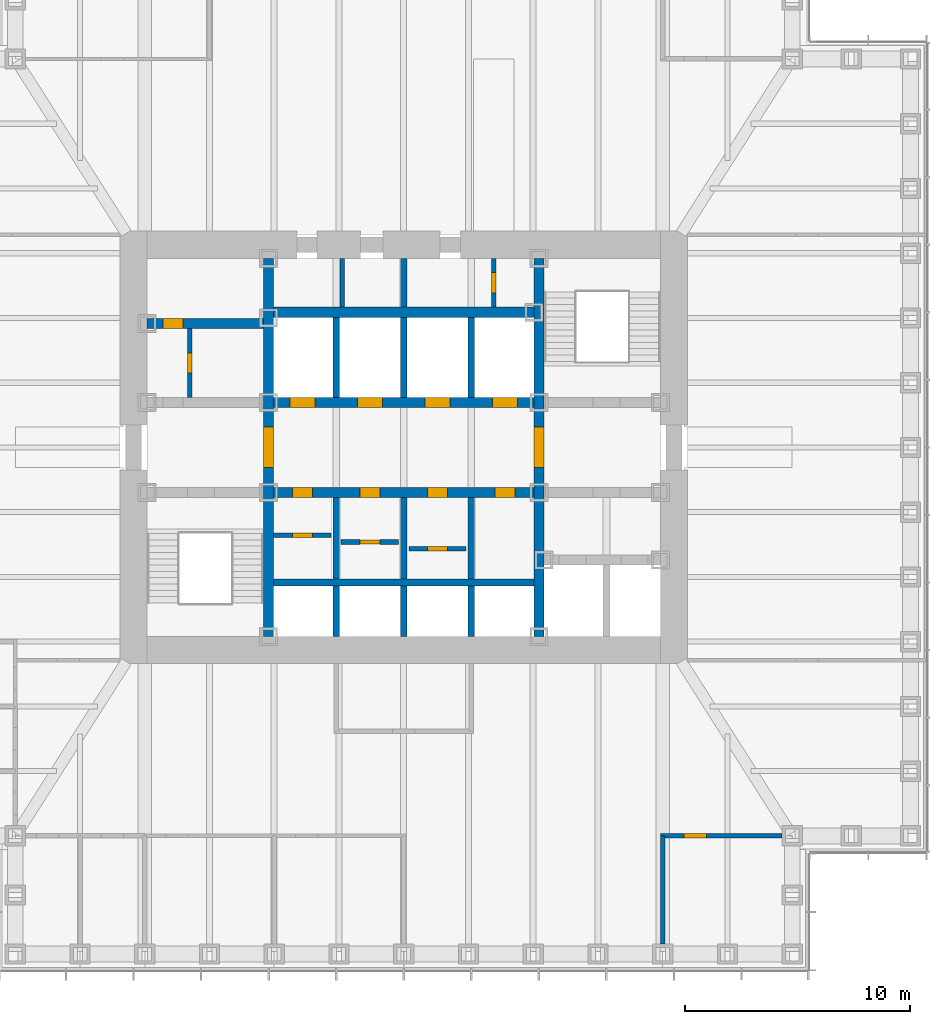
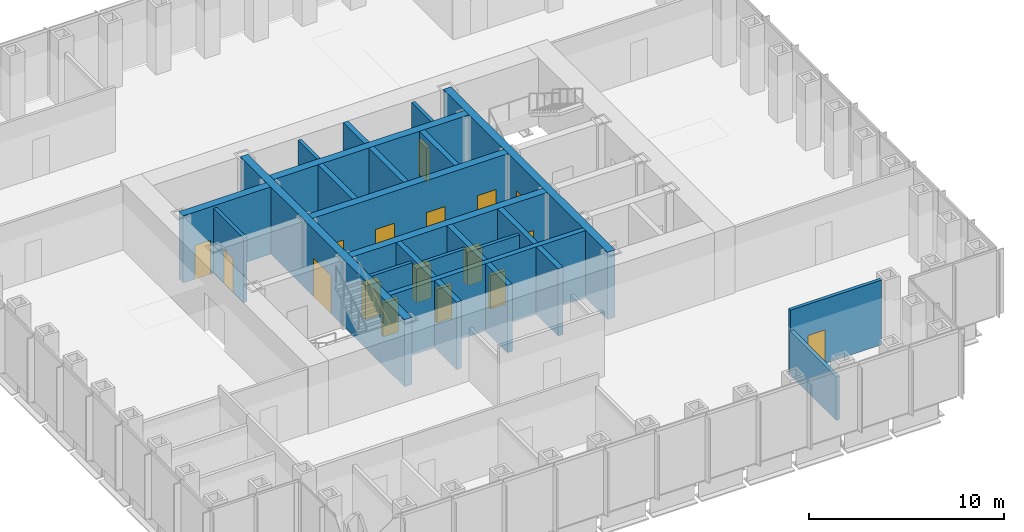
# One storey, part 9 of 16: 25 walls, 17 doors, 17 openings.
"""IFC4 building model written with IfcOpenShell, lengths in metres."""

from ifc_helpers import new_model, si_unit, direction, frame, frame_2d, origin, place, context, subcontext, project, spatial, rectangle, extrude, material, layer, layer_set, type_object, element, fill, save


model = new_model("IFC4")

# Units and contexts
model_context = context("Model", 3, precision=1e-05, world=origin(), true_north=direction((0.0, 1.0)))
body_context = subcontext(model_context, "Body", "Model", "MODEL_VIEW")
ifc_project = project(units=[si_unit("LENGTHUNIT", "METRE"), si_unit("AREAUNIT", "SQUARE_METRE"), si_unit("VOLUMEUNIT", "CUBIC_METRE"), si_unit("PLANEANGLEUNIT", "RADIAN"), si_unit("MASSUNIT", "GRAM", prefix="KILO")], contexts=[model_context])

# Site, building, storey
site_placement = place(None, origin())
site = spatial("IfcSite", under=ifc_project, at=site_placement, CompositionType="ELEMENT")
building_placement = place(site_placement, origin())
building = spatial("IfcBuilding", under=site, at=building_placement, Name="Daluyong Arena Tower", CompositionType="ELEMENT")
storey_placement = place(building_placement, frame((0.0, 0.0, 120.699951171875)))
storey = spatial("IfcBuildingStorey", under=building, at=storey_placement, Name="L26", CompositionType="ELEMENT", Elevation=120.699951171875)

# Wall, opening, door
ifc_material_1 = material(Name="Concrete fc' 45 MPa", Category="concrete")
ifc_layer_1 = layer(ifc_material_1, 0.449951171875)
ifc_layer_set_1 = layer_set([ifc_layer_1], Name="Concrete fc' 45 MPa")
wall_type_1 = type_object("IfcWallType", Name="Core inner wall 450", PredefinedType="SHEAR", material=ifc_layer_set_1)
wall_1_placement = place(storey_placement, frame((50.0, 71.60009765625, 0.0), z_axis=(0.0, 0.0, 1.0), x_axis=(0.0, 1.0, 0.0)))
wall_1 = element("IfcWall", 1, at=wall_1_placement, inside=storey, type_object=wall_type_1, Name="core inner wall at L26", PredefinedType="SHEAR", context=body_context, shape_type="SweptSolid", body=[
    extrude(rectangle(XDim=16.7998046875, YDim=0.449951171875, at=frame_2d((8.39990234375, 0.0))), origin(), (0.0, 0.0, 1.0), 4.199951171875),
])
opening_1_placement = place(wall_1_placement, frame((7.5, 0.0, 0.0)))
opening_1 = element("IfcOpeningElement", 2, at=opening_1_placement, cuts=wall_1, Name="Opening 26019", PredefinedType="OPENING", context=body_context, shape_type="SweptSolid", body=[
    extrude(rectangle(XDim=1.800048828125, YDim=2.39990234375, at=frame_2d((0.89990234375, 1.199951171875))), frame((0.0, 0.23486328125, 0.0), z_axis=(0.0, -1.0, 0.0), x_axis=(1.0, 0.0, 0.0)), (0.0, 0.0, 1.0), 0.469970703125),
])
ifc_material_2 = material(Name="Steel door, fire rated", Category="steel")
door_type_1 = type_object("IfcDoorType", Name="Lift lobby opening door 1800", OperationType="DOUBLE_DOOR_SINGLE_SWING", PredefinedType="DOOR", material=ifc_material_2)
door_1_placement = place(opening_1_placement, origin())
door_1 = element("IfcDoor", 3, at=door_1_placement, inside=storey, type_object=door_type_1, Name="lift lobby door west 26019", OperationType="DOUBLE_DOOR_SINGLE_SWING", OverallHeight=2.39990234375, OverallWidth=1.800048828125, PredefinedType="DOOR", context=body_context, shape_type="SweptSolid", body=[
    extrude(rectangle(XDim=1.800048828125, YDim=2.39990234375, at=frame_2d((0.89990234375, 1.199951171875))), frame((0.0, 0.224609375, 0.0), z_axis=(0.0, -1.0, 0.0), x_axis=(1.0, 0.0, 0.0)), (0.0, 0.0, 1.0), 0.449462890625),
])
fill(opening_1, door_1)

wall_2_placement = place(storey_placement, frame((62.0, 71.60009765625, 0.0), z_axis=(0.0, 0.0, 1.0), x_axis=(0.0, 1.0, 0.0)))
wall_2 = element("IfcWall", 4, at=wall_2_placement, inside=storey, type_object=wall_type_1, Name="core inner wall at L26", PredefinedType="SHEAR", context=body_context, shape_type="SweptSolid", body=[
    extrude(rectangle(XDim=16.7998046875, YDim=0.449951171875, at=frame_2d((8.39990234375, 0.0))), origin(), (0.0, 0.0, 1.0), 4.199951171875),
])
opening_2_placement = place(wall_2_placement, frame((7.5, 0.0, 0.0)))
opening_2 = element("IfcOpeningElement", 5, at=opening_2_placement, cuts=wall_2, Name="Opening 26020", PredefinedType="OPENING", context=body_context, shape_type="SweptSolid", body=[
    extrude(rectangle(XDim=1.800048828125, YDim=2.39990234375, at=frame_2d((0.89990234375, 1.199951171875))), frame((0.0, 0.23486328125, 0.0), z_axis=(0.0, -1.0, 0.0), x_axis=(1.0, 0.0, 0.0)), (0.0, 0.0, 1.0), 0.469970703125),
])
door_2_placement = place(opening_2_placement, origin())
door_2 = element("IfcDoor", 6, at=door_2_placement, inside=storey, type_object=door_type_1, Name="lift lobby door east 26020", OperationType="DOUBLE_DOOR_SINGLE_SWING", OverallHeight=2.39990234375, OverallWidth=1.800048828125, PredefinedType="DOOR", context=body_context, shape_type="SweptSolid", body=[
    extrude(rectangle(XDim=1.800048828125, YDim=2.39990234375, at=frame_2d((0.89990234375, 1.199951171875))), frame((0.0, 0.224609375, 0.0), z_axis=(0.0, -1.0, 0.0), x_axis=(1.0, 0.0, 0.0)), (0.0, 0.0, 1.0), 0.449462890625),
])
fill(opening_2, door_2)

wall_3_placement = place(storey_placement, frame((44.60009765625, 85.5, 0.0), z_axis=(0.0, 0.0, 1.0), x_axis=(1.0, 0.0, 0.0)))
wall_3 = element("IfcWall", 7, at=wall_3_placement, inside=storey, type_object=wall_type_1, Name="core inner wall at L26", PredefinedType="SHEAR", context=body_context, shape_type="SweptSolid", body=[
    extrude(rectangle(XDim=5.1748046875, YDim=0.449951171875, at=frame_2d((2.58740234375, 0.0))), origin(), (0.0, 0.0, 1.0), 4.199951171875),
])
opening_3_placement = place(wall_3_placement, frame((0.699951171875, 0.0, 0.0)))
opening_3 = element("IfcOpeningElement", 8, at=opening_3_placement, cuts=wall_3, Name="Opening 26003", PredefinedType="OPENING", context=body_context, shape_type="SweptSolid", body=[
    extrude(rectangle(XDim=0.89990234375, YDim=2.10009765625, at=frame_2d((0.449951171875, 1.050048828125))), frame((0.0, 0.23486328125, 0.0), z_axis=(0.0, -1.0, 0.0), x_axis=(1.0, 0.0, 0.0)), (0.0, 0.0, 1.0), 0.469970703125),
])
ifc_material_3 = material(Name="Timber door", Category="wood")
door_type_2 = type_object("IfcDoorType", Name="Toilet door 900", OperationType="SINGLE_SWING_RIGHT", PredefinedType="DOOR", material=ifc_material_3)
door_3_placement = place(opening_3_placement, origin())
door_3 = element("IfcDoor", 9, at=door_3_placement, inside=storey, type_object=door_type_2, Name="female toilet door 26003", OperationType="SINGLE_SWING_RIGHT", OverallHeight=2.10009765625, OverallWidth=0.89990234375, PredefinedType="DOOR", context=body_context, shape_type="SweptSolid", body=[
    extrude(rectangle(XDim=0.89990234375, YDim=2.10009765625, at=frame_2d((0.449951171875, 1.050048828125))), frame((0.0, 0.224609375, 0.0), z_axis=(0.0, -1.0, 0.0), x_axis=(1.0, 0.0, 0.0)), (0.0, 0.0, 1.0), 0.449462890625),
])
fill(opening_3, door_3)

# Wall, openings, doors
wall_4_placement = place(storey_placement, frame((50.22509765625, 78.0, 0.0), z_axis=(0.0, 0.0, 1.0), x_axis=(1.0, 0.0, 0.0)))
wall_4 = element("IfcWall", 10, at=wall_4_placement, inside=storey, type_object=wall_type_1, Name="core inner wall at L26", PredefinedType="SHEAR", context=body_context, shape_type="SweptSolid", body=[
    extrude(rectangle(XDim=11.5498046875, YDim=0.449951171875, at=frame_2d((5.77490234375, 0.0))), origin(), (0.0, 0.0, 1.0), 4.199951171875),
])
opening_4_placement = place(wall_4_placement, frame((0.824951171875, 0.0, 0.0)))
opening_4 = element("IfcOpeningElement", 11, at=opening_4_placement, cuts=wall_4, Name="Opening 26008", PredefinedType="OPENING", context=body_context, shape_type="SweptSolid", body=[
    extrude(rectangle(XDim=0.89990234375, YDim=2.10009765625, at=frame_2d((0.449951171875, 1.050048828125))), frame((0.0, 0.23486328125, 0.0), z_axis=(0.0, -1.0, 0.0), x_axis=(1.0, 0.0, 0.0)), (0.0, 0.0, 1.0), 0.469970703125),
])
opening_5_placement = place(wall_4_placement, frame((3.824951171875, 0.0, 0.0)))
opening_5 = element("IfcOpeningElement", 12, at=opening_5_placement, cuts=wall_4, Name="Opening 26010", PredefinedType="OPENING", context=body_context, shape_type="SweptSolid", body=[
    extrude(rectangle(XDim=0.89990234375, YDim=2.10009765625, at=frame_2d((0.449951171875, 1.050048828125))), frame((0.0, 0.23486328125, 0.0), z_axis=(0.0, -1.0, 0.0), x_axis=(1.0, 0.0, 0.0)), (0.0, 0.0, 1.0), 0.469970703125),
])
opening_6_placement = place(wall_4_placement, frame((6.824951171875, 0.0, 0.0)))
opening_6 = element("IfcOpeningElement", 13, at=opening_6_placement, cuts=wall_4, Name="Opening 26012", PredefinedType="OPENING", context=body_context, shape_type="SweptSolid", body=[
    extrude(rectangle(XDim=0.89990234375, YDim=2.10009765625, at=frame_2d((0.449951171875, 1.050048828125))), frame((0.0, 0.23486328125, 0.0), z_axis=(0.0, -1.0, 0.0), x_axis=(1.0, 0.0, 0.0)), (0.0, 0.0, 1.0), 0.469970703125),
])
opening_7_placement = place(wall_4_placement, frame((9.824951171875, 0.0, 0.0)))
opening_7 = element("IfcOpeningElement", 14, at=opening_7_placement, cuts=wall_4, Name="Opening 26014", PredefinedType="OPENING", context=body_context, shape_type="SweptSolid", body=[
    extrude(rectangle(XDim=0.89990234375, YDim=2.10009765625, at=frame_2d((0.449951171875, 1.050048828125))), frame((0.0, 0.23486328125, 0.0), z_axis=(0.0, -1.0, 0.0), x_axis=(1.0, 0.0, 0.0)), (0.0, 0.0, 1.0), 0.469970703125),
])
ifc_material_4 = material(Name="Steel door, fire rated", Category="steel")
door_type_3 = type_object("IfcDoorType", Name="Core room door 900", OperationType="SINGLE_SWING_LEFT", PredefinedType="DOOR", material=ifc_material_4)
door_4_placement = place(opening_7_placement, origin())
door_4 = element("IfcDoor", 15, at=door_4_placement, inside=storey, type_object=door_type_3, Name="print room door 26014", OperationType="SINGLE_SWING_LEFT", OverallHeight=2.10009765625, OverallWidth=0.89990234375, PredefinedType="DOOR", context=body_context, shape_type="SweptSolid", body=[
    extrude(rectangle(XDim=0.89990234375, YDim=2.10009765625, at=frame_2d((0.449951171875, 1.050048828125))), frame((0.0, 0.224609375, 0.0), z_axis=(0.0, -1.0, 0.0), x_axis=(1.0, 0.0, 0.0)), (0.0, 0.0, 1.0), 0.449462890625),
])
fill(opening_7, door_4)
ifc_material_5 = material(Name="Steel door, fire rated", Category="steel")
door_type_4 = type_object("IfcDoorType", Name="Core store door 900", OperationType="SINGLE_SWING_LEFT", PredefinedType="DOOR", material=ifc_material_5)
door_5_placement = place(opening_4_placement, origin())
door_5 = element("IfcDoor", 16, at=door_5_placement, inside=storey, type_object=door_type_4, Name="tenant store door 26008", OperationType="SINGLE_SWING_LEFT", OverallHeight=2.10009765625, OverallWidth=0.89990234375, PredefinedType="DOOR", context=body_context, shape_type="SweptSolid", body=[
    extrude(rectangle(XDim=0.89990234375, YDim=2.10009765625, at=frame_2d((0.449951171875, 1.050048828125))), frame((0.0, 0.224609375, 0.0), z_axis=(0.0, -1.0, 0.0), x_axis=(1.0, 0.0, 0.0)), (0.0, 0.0, 1.0), 0.449462890625),
])
fill(opening_4, door_5)
door_6_placement = place(opening_5_placement, origin())
door_6 = element("IfcDoor", 17, at=door_6_placement, inside=storey, type_object=door_type_4, Name="stationery store door 26010", OperationType="SINGLE_SWING_LEFT", OverallHeight=2.10009765625, OverallWidth=0.89990234375, PredefinedType="DOOR", context=body_context, shape_type="SweptSolid", body=[
    extrude(rectangle(XDim=0.89990234375, YDim=2.10009765625, at=frame_2d((0.449951171875, 1.050048828125))), frame((0.0, 0.224609375, 0.0), z_axis=(0.0, -1.0, 0.0), x_axis=(1.0, 0.0, 0.0)), (0.0, 0.0, 1.0), 0.449462890625),
])
fill(opening_5, door_6)
door_7_placement = place(opening_6_placement, origin())
door_7 = element("IfcDoor", 18, at=door_7_placement, inside=storey, type_object=door_type_4, Name="facilities store door 26012", OperationType="SINGLE_SWING_LEFT", OverallHeight=2.10009765625, OverallWidth=0.89990234375, PredefinedType="DOOR", context=body_context, shape_type="SweptSolid", body=[
    extrude(rectangle(XDim=0.89990234375, YDim=2.10009765625, at=frame_2d((0.449951171875, 1.050048828125))), frame((0.0, 0.224609375, 0.0), z_axis=(0.0, -1.0, 0.0), x_axis=(1.0, 0.0, 0.0)), (0.0, 0.0, 1.0), 0.449462890625),
])
fill(opening_6, door_7)

wall_5_placement = place(storey_placement, frame((50.22509765625, 82.0, 0.0), z_axis=(0.0, 0.0, 1.0), x_axis=(1.0, 0.0, 0.0)))
wall_5 = element("IfcWall", 19, at=wall_5_placement, inside=storey, type_object=wall_type_1, Name="core inner wall at L26", PredefinedType="SHEAR", context=body_context, shape_type="SweptSolid", body=[
    extrude(rectangle(XDim=11.5498046875, YDim=0.449951171875, at=frame_2d((5.77490234375, 0.0))), origin(), (0.0, 0.0, 1.0), 4.199951171875),
])
opening_8_placement = place(wall_5_placement, frame((0.72509765625, 0.0, 0.0)))
opening_8 = element("IfcOpeningElement", 20, at=opening_8_placement, cuts=wall_5, Name="Opening 26022", PredefinedType="OPENING", context=body_context, shape_type="SweptSolid", body=[
    extrude(rectangle(XDim=1.10009765625, YDim=2.199951171875, at=frame_2d((0.550048828125, 1.10009765625))), frame((0.0, 0.23486328125, 0.0), z_axis=(0.0, -1.0, 0.0), x_axis=(1.0, 0.0, 0.0)), (0.0, 0.0, 1.0), 0.469970703125),
])
opening_9_placement = place(wall_5_placement, frame((3.72509765625, 0.0, 0.0)))
opening_9 = element("IfcOpeningElement", 21, at=opening_9_placement, cuts=wall_5, Name="Opening 26023", PredefinedType="OPENING", context=body_context, shape_type="SweptSolid", body=[
    extrude(rectangle(XDim=1.10009765625, YDim=2.199951171875, at=frame_2d((0.550048828125, 1.10009765625))), frame((0.0, 0.23486328125, 0.0), z_axis=(0.0, -1.0, 0.0), x_axis=(1.0, 0.0, 0.0)), (0.0, 0.0, 1.0), 0.469970703125),
])
opening_10_placement = place(wall_5_placement, frame((6.72509765625, 0.0, 0.0)))
opening_10 = element("IfcOpeningElement", 22, at=opening_10_placement, cuts=wall_5, Name="Opening 26024", PredefinedType="OPENING", context=body_context, shape_type="SweptSolid", body=[
    extrude(rectangle(XDim=1.10009765625, YDim=2.199951171875, at=frame_2d((0.550048828125, 1.10009765625))), frame((0.0, 0.23486328125, 0.0), z_axis=(0.0, -1.0, 0.0), x_axis=(1.0, 0.0, 0.0)), (0.0, 0.0, 1.0), 0.469970703125),
])
opening_11_placement = place(wall_5_placement, frame((9.72509765625, 0.0, 0.0)))
opening_11 = element("IfcOpeningElement", 23, at=opening_11_placement, cuts=wall_5, Name="Opening 26025", PredefinedType="OPENING", context=body_context, shape_type="SweptSolid", body=[
    extrude(rectangle(XDim=1.10009765625, YDim=2.199951171875, at=frame_2d((0.550048828125, 1.10009765625))), frame((0.0, 0.23486328125, 0.0), z_axis=(0.0, -1.0, 0.0), x_axis=(1.0, 0.0, 0.0)), (0.0, 0.0, 1.0), 0.469970703125),
])
ifc_material_6 = material(Name="Steel door, fire rated", Category="steel")
door_type_5 = type_object("IfcDoorType", Name="Lift landing door 1100", OperationType="SLIDING_TO_LEFT", PredefinedType="DOOR", material=ifc_material_6)
door_8_placement = place(opening_8_placement, origin())
door_8 = element("IfcDoor", 24, at=door_8_placement, inside=storey, type_object=door_type_5, Name="lift landing door B1 26022", OperationType="SLIDING_TO_LEFT", OverallHeight=2.199951171875, OverallWidth=1.10009765625, PredefinedType="DOOR", context=body_context, shape_type="SweptSolid", body=[
    extrude(rectangle(XDim=1.10009765625, YDim=2.199951171875, at=frame_2d((0.550048828125, 1.10009765625))), frame((0.0, 0.224609375, 0.0), z_axis=(0.0, -1.0, 0.0), x_axis=(1.0, 0.0, 0.0)), (0.0, 0.0, 1.0), 0.449462890625),
])
fill(opening_8, door_8)
door_9_placement = place(opening_9_placement, origin())
door_9 = element("IfcDoor", 25, at=door_9_placement, inside=storey, type_object=door_type_5, Name="lift landing door B2 26023", OperationType="SLIDING_TO_LEFT", OverallHeight=2.199951171875, OverallWidth=1.10009765625, PredefinedType="DOOR", context=body_context, shape_type="SweptSolid", body=[
    extrude(rectangle(XDim=1.10009765625, YDim=2.199951171875, at=frame_2d((0.550048828125, 1.10009765625))), frame((0.0, 0.224609375, 0.0), z_axis=(0.0, -1.0, 0.0), x_axis=(1.0, 0.0, 0.0)), (0.0, 0.0, 1.0), 0.449462890625),
])
fill(opening_9, door_9)
door_10_placement = place(opening_10_placement, origin())
door_10 = element("IfcDoor", 26, at=door_10_placement, inside=storey, type_object=door_type_5, Name="lift landing door B3 26024", OperationType="SLIDING_TO_LEFT", OverallHeight=2.199951171875, OverallWidth=1.10009765625, PredefinedType="DOOR", context=body_context, shape_type="SweptSolid", body=[
    extrude(rectangle(XDim=1.10009765625, YDim=2.199951171875, at=frame_2d((0.550048828125, 1.10009765625))), frame((0.0, 0.224609375, 0.0), z_axis=(0.0, -1.0, 0.0), x_axis=(1.0, 0.0, 0.0)), (0.0, 0.0, 1.0), 0.449462890625),
])
fill(opening_10, door_10)
door_11_placement = place(opening_11_placement, origin())
door_11 = element("IfcDoor", 27, at=door_11_placement, inside=storey, type_object=door_type_5, Name="lift landing door B4 26025", OperationType="SLIDING_TO_LEFT", OverallHeight=2.199951171875, OverallWidth=1.10009765625, PredefinedType="DOOR", context=body_context, shape_type="SweptSolid", body=[
    extrude(rectangle(XDim=1.10009765625, YDim=2.199951171875, at=frame_2d((0.550048828125, 1.10009765625))), frame((0.0, 0.224609375, 0.0), z_axis=(0.0, -1.0, 0.0), x_axis=(1.0, 0.0, 0.0)), (0.0, 0.0, 1.0), 0.449462890625),
])
fill(opening_11, door_11)

# Wall
wall_6_placement = place(storey_placement, frame((50.22509765625, 86.0, 0.0), z_axis=(0.0, 0.0, 1.0), x_axis=(1.0, 0.0, 0.0)))
element("IfcWall", 28, at=wall_6_placement, inside=storey, type_object=wall_type_1, Name="core inner wall at L26", PredefinedType="SHEAR", context=body_context, shape_type="SweptSolid", body=[
    extrude(rectangle(XDim=11.5498046875, YDim=0.449951171875, at=frame_2d((5.77490234375, 0.0))), origin(), (0.0, 0.0, 1.0), 4.199951171875),
])

# Wall, opening, door
ifc_material_7 = material(Name="Concrete block partition, fire rated", Category="concrete")
ifc_layer_2 = layer(ifc_material_7, 0.199951171875)
ifc_layer_set_2 = layer_set([ifc_layer_2], Name="Concrete block partition, fire rated")
wall_type_2 = type_object("IfcWallType", Name="Fire-rated partition 200", PredefinedType="PARTITIONING", material=ifc_layer_set_2)
wall_7_placement = place(storey_placement, frame((46.5, 82.22509765625, 0.0), z_axis=(0.0, 0.0, 1.0), x_axis=(0.0, 1.0, 0.0)))
wall_7 = element("IfcWall", 29, at=wall_7_placement, inside=storey, type_object=wall_type_2, Name="toilet lobby partition at L26", PredefinedType="PARTITIONING", context=body_context, shape_type="SweptSolid", body=[
    extrude(rectangle(XDim=3.0498046875, YDim=0.199951171875, at=frame_2d((1.52490234375, 0.0))), origin(), (0.0, 0.0, 1.0), 4.0400390625),
])
opening_12_placement = place(wall_7_placement, frame((1.074951171875, 0.0, 0.0)))
opening_12 = element("IfcOpeningElement", 30, at=opening_12_placement, cuts=wall_7, Name="Opening 26002", PredefinedType="OPENING", context=body_context, shape_type="SweptSolid", body=[
    extrude(rectangle(XDim=0.89990234375, YDim=2.10009765625, at=frame_2d((0.449951171875, 1.050048828125))), frame((0.0, 0.10986328125, 0.0), z_axis=(0.0, -1.0, 0.0), x_axis=(1.0, 0.0, 0.0)), (0.0, 0.0, 1.0), 0.219970703125),
])
door_12_placement = place(opening_12_placement, origin())
door_12 = element("IfcDoor", 31, at=door_12_placement, inside=storey, type_object=door_type_2, Name="male toilet door 26002", OperationType="SINGLE_SWING_RIGHT", OverallHeight=2.10009765625, OverallWidth=0.89990234375, PredefinedType="DOOR", context=body_context, shape_type="SweptSolid", body=[
    extrude(rectangle(XDim=0.89990234375, YDim=2.10009765625, at=frame_2d((0.449951171875, 1.050048828125))), frame((0.0, 0.099609375, 0.0), z_axis=(0.0, -1.0, 0.0), x_axis=(1.0, 0.0, 0.0)), (0.0, 0.0, 1.0), 0.199462890625),
])
fill(opening_12, door_12)

# Wall
wall_8_placement = place(storey_placement, frame((53.27490234375, 86.22509765625, 0.0), z_axis=(0.0, 0.0, 1.0), x_axis=(0.0, 1.0, 0.0)))
element("IfcWall", 32, at=wall_8_placement, inside=storey, type_object=wall_type_2, Name="core room partition at L26", PredefinedType="PARTITIONING", context=body_context, shape_type="SweptSolid", body=[
    extrude(rectangle(XDim=2.1748046875, YDim=0.199951171875, at=frame_2d((1.08740234375, 0.0))), origin(), (0.0, 0.0, 1.0), 4.0400390625),
])

# Wall, opening, door
wall_9_placement = place(storey_placement, frame((60.0, 86.22509765625, 0.0), z_axis=(0.0, 0.0, 1.0), x_axis=(0.0, 1.0, 0.0)))
wall_9 = element("IfcWall", 33, at=wall_9_placement, inside=storey, type_object=wall_type_2, Name="electrical riser enclosure at L26", PredefinedType="PARTITIONING", context=body_context, shape_type="SweptSolid", body=[
    extrude(rectangle(XDim=2.1748046875, YDim=0.199951171875, at=frame_2d((1.08740234375, 0.0))), origin(), (0.0, 0.0, 1.0), 4.0400390625),
])
opening_13_placement = place(wall_9_placement, frame((0.637451171875, 0.0, 0.0)))
opening_13 = element("IfcOpeningElement", 34, at=opening_13_placement, cuts=wall_9, Name="Opening 26007", PredefinedType="OPENING", context=body_context, shape_type="SweptSolid", body=[
    extrude(rectangle(XDim=0.89990234375, YDim=2.10009765625, at=frame_2d((0.449951171875, 1.050048828125))), frame((0.0, 0.10986328125, 0.0), z_axis=(0.0, -1.0, 0.0), x_axis=(1.0, 0.0, 0.0)), (0.0, 0.0, 1.0), 0.219970703125),
])
ifc_material_8 = material(Name="Steel door, fire rated", Category="steel")
door_type_6 = type_object("IfcDoorType", Name="Riser door 900", OperationType="SINGLE_SWING_LEFT", PredefinedType="DOOR", material=ifc_material_8)
door_13_placement = place(opening_13_placement, origin())
door_13 = element("IfcDoor", 35, at=door_13_placement, inside=storey, type_object=door_type_6, Name="riser door 26007", OperationType="SINGLE_SWING_LEFT", OverallHeight=2.10009765625, OverallWidth=0.89990234375, PredefinedType="DOOR", context=body_context, shape_type="SweptSolid", body=[
    extrude(rectangle(XDim=0.89990234375, YDim=2.10009765625, at=frame_2d((0.449951171875, 1.050048828125))), frame((0.0, 0.099609375, 0.0), z_axis=(0.0, -1.0, 0.0), x_axis=(1.0, 0.0, 0.0)), (0.0, 0.0, 1.0), 0.199462890625),
])
fill(opening_13, door_13)

wall_10_placement = place(storey_placement, frame((50.22509765625, 76.10009765625, 0.0), z_axis=(0.0, 0.0, 1.0), x_axis=(1.0, 0.0, 0.0)))
wall_10 = element("IfcWall", 36, at=wall_10_placement, inside=storey, type_object=wall_type_2, Name="back store partition at L26", PredefinedType="PARTITIONING", context=body_context, shape_type="SweptSolid", body=[
    extrude(rectangle(XDim=2.5498046875, YDim=0.199951171875, at=frame_2d((1.27490234375, 0.0))), origin(), (0.0, 0.0, 1.0), 4.0400390625),
])
opening_14_placement = place(wall_10_placement, frame((0.824951171875, 0.0, 0.0)))
opening_14 = element("IfcOpeningElement", 37, at=opening_14_placement, cuts=wall_10, Name="Opening 26009", PredefinedType="OPENING", context=body_context, shape_type="SweptSolid", body=[
    extrude(rectangle(XDim=0.89990234375, YDim=2.10009765625, at=frame_2d((0.449951171875, 1.050048828125))), frame((0.0, 0.10986328125, 0.0), z_axis=(0.0, -1.0, 0.0), x_axis=(1.0, 0.0, 0.0)), (0.0, 0.0, 1.0), 0.219970703125),
])
door_14_placement = place(opening_14_placement, origin())
door_14 = element("IfcDoor", 38, at=door_14_placement, inside=storey, type_object=door_type_4, Name="furniture store door 26009", OperationType="SINGLE_SWING_LEFT", OverallHeight=2.10009765625, OverallWidth=0.89990234375, PredefinedType="DOOR", context=body_context, shape_type="SweptSolid", body=[
    extrude(rectangle(XDim=0.89990234375, YDim=2.10009765625, at=frame_2d((0.449951171875, 1.050048828125))), frame((0.0, 0.099609375, 0.0), z_axis=(0.0, -1.0, 0.0), x_axis=(1.0, 0.0, 0.0)), (0.0, 0.0, 1.0), 0.199462890625),
])
fill(opening_14, door_14)

wall_11_placement = place(storey_placement, frame((53.22509765625, 75.800048828125, 0.0), z_axis=(0.0, 0.0, 1.0), x_axis=(1.0, 0.0, 0.0)))
wall_11 = element("IfcWall", 39, at=wall_11_placement, inside=storey, type_object=wall_type_2, Name="back store partition at L26", PredefinedType="PARTITIONING", context=body_context, shape_type="SweptSolid", body=[
    extrude(rectangle(XDim=2.5498046875, YDim=0.199951171875, at=frame_2d((1.27490234375, 0.0))), origin(), (0.0, 0.0, 1.0), 4.0400390625),
])
opening_15_placement = place(wall_11_placement, frame((0.824951171875, 0.0, 0.0)))
opening_15 = element("IfcOpeningElement", 40, at=opening_15_placement, cuts=wall_11, Name="Opening 26011", PredefinedType="OPENING", context=body_context, shape_type="SweptSolid", body=[
    extrude(rectangle(XDim=0.89990234375, YDim=2.10009765625, at=frame_2d((0.449951171875, 1.050048828125))), frame((0.0, 0.10986328125, 0.0), z_axis=(0.0, -1.0, 0.0), x_axis=(1.0, 0.0, 0.0)), (0.0, 0.0, 1.0), 0.219970703125),
])
door_15_placement = place(opening_15_placement, origin())
door_15 = element("IfcDoor", 41, at=door_15_placement, inside=storey, type_object=door_type_4, Name="security store door 26011", OperationType="SINGLE_SWING_LEFT", OverallHeight=2.10009765625, OverallWidth=0.89990234375, PredefinedType="DOOR", context=body_context, shape_type="SweptSolid", body=[
    extrude(rectangle(XDim=0.89990234375, YDim=2.10009765625, at=frame_2d((0.449951171875, 1.050048828125))), frame((0.0, 0.099609375, 0.0), z_axis=(0.0, -1.0, 0.0), x_axis=(1.0, 0.0, 0.0)), (0.0, 0.0, 1.0), 0.199462890625),
])
fill(opening_15, door_15)

wall_12_placement = place(storey_placement, frame((56.22509765625, 75.5, 0.0), z_axis=(0.0, 0.0, 1.0), x_axis=(1.0, 0.0, 0.0)))
wall_12 = element("IfcWall", 42, at=wall_12_placement, inside=storey, type_object=wall_type_2, Name="back store partition at L26", PredefinedType="PARTITIONING", context=body_context, shape_type="SweptSolid", body=[
    extrude(rectangle(XDim=2.5498046875, YDim=0.199951171875, at=frame_2d((1.27490234375, 0.0))), origin(), (0.0, 0.0, 1.0), 4.0400390625),
])
opening_16_placement = place(wall_12_placement, frame((0.824951171875, 0.0, 0.0)))
opening_16 = element("IfcOpeningElement", 43, at=opening_16_placement, cuts=wall_12, Name="Opening 26013", PredefinedType="OPENING", context=body_context, shape_type="SweptSolid", body=[
    extrude(rectangle(XDim=0.89990234375, YDim=2.10009765625, at=frame_2d((0.449951171875, 1.050048828125))), frame((0.0, 0.10986328125, 0.0), z_axis=(0.0, -1.0, 0.0), x_axis=(1.0, 0.0, 0.0)), (0.0, 0.0, 1.0), 0.219970703125),
])
door_16_placement = place(opening_16_placement, origin())
door_16 = element("IfcDoor", 44, at=door_16_placement, inside=storey, type_object=door_type_4, Name="archive store door 26013", OperationType="SINGLE_SWING_LEFT", OverallHeight=2.10009765625, OverallWidth=0.89990234375, PredefinedType="DOOR", context=body_context, shape_type="SweptSolid", body=[
    extrude(rectangle(XDim=0.89990234375, YDim=2.10009765625, at=frame_2d((0.449951171875, 1.050048828125))), frame((0.0, 0.099609375, 0.0), z_axis=(0.0, -1.0, 0.0), x_axis=(1.0, 0.0, 0.0)), (0.0, 0.0, 1.0), 0.199462890625),
])
fill(opening_16, door_16)

# Walls
ifc_material_9 = material(Name="Concrete fc' 45 MPa", Category="concrete")
ifc_layer_3 = layer(ifc_material_9, 0.300048828125)
ifc_layer_set_3 = layer_set([ifc_layer_3], Name="Concrete fc' 45 MPa")
wall_type_3 = type_object("IfcWallType", Name="Lift shaft wall 300", PredefinedType="SHEAR", material=ifc_layer_set_3)
wall_13_placement = place(storey_placement, frame((50.22509765625, 74.0, 0.0), z_axis=(0.0, 0.0, 1.0), x_axis=(1.0, 0.0, 0.0)))
element("IfcWall", 45, at=wall_13_placement, inside=storey, type_object=wall_type_3, Name="lift shaft wall at L26", PredefinedType="SHEAR", context=body_context, shape_type="SweptSolid", body=[
    extrude(rectangle(XDim=11.5498046875, YDim=0.300048828125, at=frame_2d((5.77490234375, 0.0))), origin(), (0.0, 0.0, 1.0), 4.199951171875),
])
wall_14_placement = place(storey_placement, frame((53.0, 71.60009765625, 0.0), z_axis=(0.0, 0.0, 1.0), x_axis=(0.0, 1.0, 0.0)))
element("IfcWall", 46, at=wall_14_placement, inside=storey, type_object=wall_type_3, Name="lift shaft wall at L26", PredefinedType="SHEAR", context=body_context, shape_type="SweptSolid", body=[
    extrude(rectangle(XDim=2.25, YDim=0.300048828125, at=frame_2d((1.125, 0.0))), origin(), (0.0, 0.0, 1.0), 4.199951171875),
])
wall_15_placement = place(storey_placement, frame((53.0, 74.14990234375, 0.0), z_axis=(0.0, 0.0, 1.0), x_axis=(0.0, 1.0, 0.0)))
element("IfcWall", 47, at=wall_15_placement, inside=storey, type_object=wall_type_3, Name="lift shaft wall at L26", PredefinedType="SHEAR", context=body_context, shape_type="SweptSolid", body=[
    extrude(rectangle(XDim=3.625, YDim=0.300048828125, at=frame_2d((1.8125, 0.0))), origin(), (0.0, 0.0, 1.0), 4.199951171875),
])
wall_16_placement = place(storey_placement, frame((53.0, 82.22509765625, 0.0), z_axis=(0.0, 0.0, 1.0), x_axis=(0.0, 1.0, 0.0)))
element("IfcWall", 48, at=wall_16_placement, inside=storey, type_object=wall_type_3, Name="lift shaft wall at L26", PredefinedType="SHEAR", context=body_context, shape_type="SweptSolid", body=[
    extrude(rectangle(XDim=3.5498046875, YDim=0.300048828125, at=frame_2d((1.77490234375, 0.0))), origin(), (0.0, 0.0, 1.0), 4.199951171875),
])
wall_17_placement = place(storey_placement, frame((56.0, 71.60009765625, 0.0), z_axis=(0.0, 0.0, 1.0), x_axis=(0.0, 1.0, 0.0)))
element("IfcWall", 49, at=wall_17_placement, inside=storey, type_object=wall_type_3, Name="lift shaft wall at L26", PredefinedType="SHEAR", context=body_context, shape_type="SweptSolid", body=[
    extrude(rectangle(XDim=2.25, YDim=0.300048828125, at=frame_2d((1.125, 0.0))), origin(), (0.0, 0.0, 1.0), 4.199951171875),
])
wall_18_placement = place(storey_placement, frame((56.0, 74.14990234375, 0.0), z_axis=(0.0, 0.0, 1.0), x_axis=(0.0, 1.0, 0.0)))
element("IfcWall", 50, at=wall_18_placement, inside=storey, type_object=wall_type_3, Name="lift shaft wall at L26", PredefinedType="SHEAR", context=body_context, shape_type="SweptSolid", body=[
    extrude(rectangle(XDim=3.625, YDim=0.300048828125, at=frame_2d((1.8125, 0.0))), origin(), (0.0, 0.0, 1.0), 4.199951171875),
])
wall_19_placement = place(storey_placement, frame((56.0, 82.22509765625, 0.0), z_axis=(0.0, 0.0, 1.0), x_axis=(0.0, 1.0, 0.0)))
element("IfcWall", 51, at=wall_19_placement, inside=storey, type_object=wall_type_3, Name="lift shaft wall at L26", PredefinedType="SHEAR", context=body_context, shape_type="SweptSolid", body=[
    extrude(rectangle(XDim=3.5498046875, YDim=0.300048828125, at=frame_2d((1.77490234375, 0.0))), origin(), (0.0, 0.0, 1.0), 4.199951171875),
])
wall_20_placement = place(storey_placement, frame((59.0, 71.60009765625, 0.0), z_axis=(0.0, 0.0, 1.0), x_axis=(0.0, 1.0, 0.0)))
element("IfcWall", 52, at=wall_20_placement, inside=storey, type_object=wall_type_3, Name="lift shaft wall at L26", PredefinedType="SHEAR", context=body_context, shape_type="SweptSolid", body=[
    extrude(rectangle(XDim=2.25, YDim=0.300048828125, at=frame_2d((1.125, 0.0))), origin(), (0.0, 0.0, 1.0), 4.199951171875),
])
wall_21_placement = place(storey_placement, frame((59.0, 74.14990234375, 0.0), z_axis=(0.0, 0.0, 1.0), x_axis=(0.0, 1.0, 0.0)))
element("IfcWall", 53, at=wall_21_placement, inside=storey, type_object=wall_type_3, Name="lift shaft wall at L26", PredefinedType="SHEAR", context=body_context, shape_type="SweptSolid", body=[
    extrude(rectangle(XDim=3.625, YDim=0.300048828125, at=frame_2d((1.8125, 0.0))), origin(), (0.0, 0.0, 1.0), 4.199951171875),
])
wall_22_placement = place(storey_placement, frame((59.0, 82.22509765625, 0.0), z_axis=(0.0, 0.0, 1.0), x_axis=(0.0, 1.0, 0.0)))
element("IfcWall", 54, at=wall_22_placement, inside=storey, type_object=wall_type_3, Name="lift shaft wall at L26", PredefinedType="SHEAR", context=body_context, shape_type="SweptSolid", body=[
    extrude(rectangle(XDim=3.5498046875, YDim=0.300048828125, at=frame_2d((1.77490234375, 0.0))), origin(), (0.0, 0.0, 1.0), 4.199951171875),
])
wall_23_placement = place(storey_placement, frame((56.0, 86.22509765625, 0.0), z_axis=(0.0, 0.0, 1.0), x_axis=(0.0, 1.0, 0.0)))
element("IfcWall", 55, at=wall_23_placement, inside=storey, type_object=wall_type_3, Name="lift shaft wall at L26", PredefinedType="SHEAR", context=body_context, shape_type="SweptSolid", body=[
    extrude(rectangle(XDim=2.1748046875, YDim=0.300048828125, at=frame_2d((1.08740234375, 0.0))), origin(), (0.0, 0.0, 1.0), 4.199951171875),
])
ifc_material_10 = material(Name="Concrete block partition", Category="concrete")
ifc_layer_4 = layer(ifc_material_10, 0.199951171875)
ifc_layer_set_4 = layer_set([ifc_layer_4], Name="Concrete block partition")
wall_type_4 = type_object("IfcWallType", Name="Partition 200", PredefinedType="PARTITIONING", material=ifc_layer_set_4)
wall_24_placement = place(storey_placement, frame((67.5, 57.949951171875, 0.0), z_axis=(0.0, 0.0, 1.0), x_axis=(0.0, 1.0, 0.0)))
element("IfcWall", 56, at=wall_24_placement, inside=storey, type_object=wall_type_4, Name="partition at L26", PredefinedType="PARTITIONING", context=body_context, shape_type="SweptSolid", body=[
    extrude(rectangle(XDim=4.800048828125, YDim=0.199951171875, at=frame_2d((2.39990234375, 0.0))), origin(), (0.0, 0.0, 1.0), 2.739990234375),
])

# Wall, opening, door
wall_25_placement = place(storey_placement, frame((67.39990234375, 62.75, 0.0), z_axis=(0.0, 0.0, 1.0), x_axis=(1.0, 0.0, 0.0)))
wall_25 = element("IfcWall", 57, at=wall_25_placement, inside=storey, type_object=wall_type_4, Name="partition at L26", PredefinedType="PARTITIONING", context=body_context, shape_type="SweptSolid", body=[
    extrude(rectangle(XDim=5.400146484375, YDim=0.199951171875, at=frame_2d((2.7001953125, 0.0))), origin(), (0.0, 0.0, 1.0), 4.0400390625),
])
opening_17_placement = place(wall_25_placement, frame((1.03759765625, 0.0, 0.0)))
opening_17 = element("IfcOpeningElement", 58, at=opening_17_placement, cuts=wall_25, Name="Opening 26032", PredefinedType="OPENING", context=body_context, shape_type="SweptSolid", body=[
    extrude(rectangle(XDim=1.0, YDim=2.10009765625, at=frame_2d((0.5, 1.050048828125))), frame((0.0, 0.10986328125, 0.0), z_axis=(0.0, -1.0, 0.0), x_axis=(1.0, 0.0, 0.0)), (0.0, 0.0, 1.0), 0.219970703125),
])
ifc_material_11 = material(Name="Timber door", Category="wood")
door_type_7 = type_object("IfcDoorType", Name="Room door 1000", OperationType="SINGLE_SWING_LEFT", PredefinedType="DOOR", material=ifc_material_11)
door_17_placement = place(opening_17_placement, origin())
door_17 = element("IfcDoor", 59, at=door_17_placement, inside=storey, type_object=door_type_7, Name="project room door 26032", OperationType="SINGLE_SWING_LEFT", OverallHeight=2.10009765625, OverallWidth=1.0, PredefinedType="DOOR", context=body_context, shape_type="SweptSolid", body=[
    extrude(rectangle(XDim=1.0, YDim=2.10009765625, at=frame_2d((0.5, 1.050048828125))), frame((0.0, 0.099609375, 0.0), z_axis=(0.0, -1.0, 0.0), x_axis=(1.0, 0.0, 0.0)), (0.0, 0.0, 1.0), 0.199462890625),
])
fill(opening_17, door_17)

save(model, "model.ifc")
